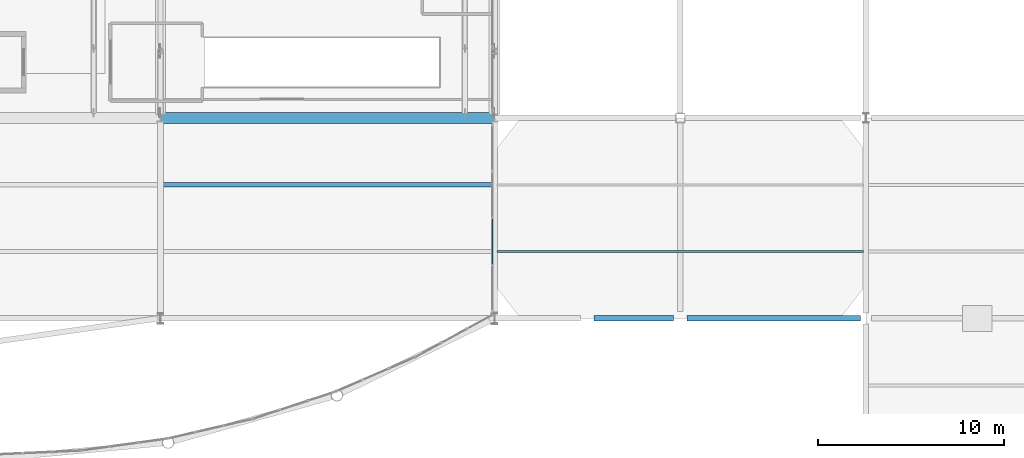
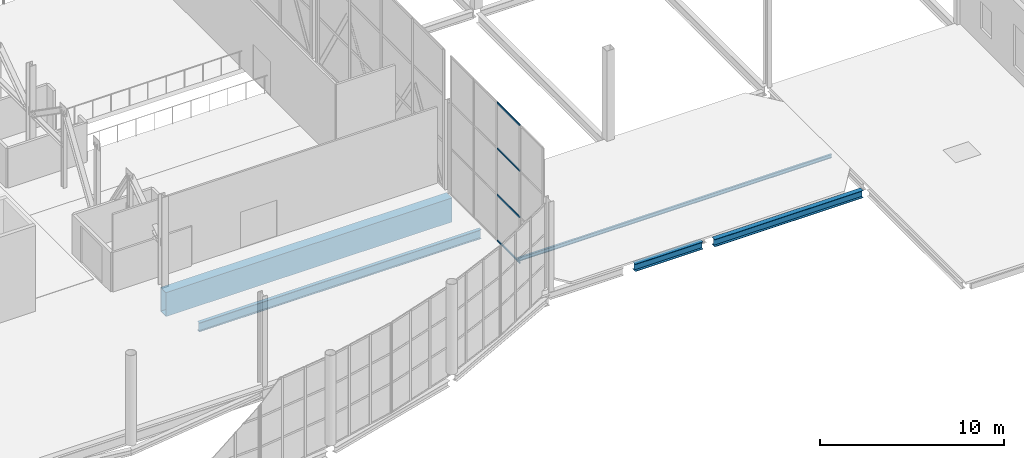
# One storey, part 51 of 191: 5 beams, 4 members, 1 element without a shape of its own.
"""IFC4 building model written with IfcOpenShell, lengths in metres."""

from ifc_helpers import new_model, si_unit, direction, frame, origin, origin_2d, place, context, subcontext, project, spatial, hollow_rectangle, i_section, extrude, material, layer, layer_set, material_profile, profile_set, type_object, element, aggregate, save


model = new_model("IFC4")

# Units and contexts
model_context = context("Model", 3, precision=1e-05, world=origin(), true_north=direction((0.0, 1.0)))
body_context = subcontext(model_context, "Body", "Model", "MODEL_VIEW")
ifc_project = project(units=[si_unit("LENGTHUNIT", "METRE"), si_unit("AREAUNIT", "SQUARE_METRE"), si_unit("VOLUMEUNIT", "CUBIC_METRE"), si_unit("PLANEANGLEUNIT", "RADIAN"), si_unit("MASSUNIT", "GRAM", prefix="KILO")], contexts=[model_context])

# Site, building, storey
site_placement = place(None, origin())
site = spatial("IfcSite", under=ifc_project, at=site_placement, CompositionType="ELEMENT")
building_placement = place(site_placement, origin())
building = spatial("IfcBuilding", under=site, at=building_placement, Name="Tamarisk Ironworks Central Station", CompositionType="ELEMENT")
storey_placement = place(building_placement, frame((0.0, 0.0, 6.60009765625)))
storey = spatial("IfcBuildingStorey", under=building, at=storey_placement, Name="L01", CompositionType="ELEMENT", Elevation=6.60009765625)

# Beams
ifc_material_1 = material(Name="Structural steel S355J2", Category="steel")
ifc_material_profile_1 = material_profile(ifc_material_1, i_section(OverallWidth=0.219970703125, OverallDepth=0.60009765625, WebThickness=0.011962890625, FlangeThickness=0.01904296875, at=origin_2d()), Name="IPE 600")
ifc_profile_set_1 = profile_set([ifc_material_profile_1], Name="Structural steel S355J2")
beam_type_1 = type_object("IfcBeamType", Name="BM-B01", PredefinedType="BEAM", material=ifc_profile_set_1)
beam_1_placement = place(storey_placement, frame((90.135009765625, 18.0, -0.60009765625), z_axis=(1.0, 0.0, 0.0), x_axis=(0.0, 1.0, 0.0)))
element("IfcBeam", 1, at=beam_1_placement, inside=storey, type_object=beam_type_1, Name="L01 secondary composite beam 0032", PredefinedType="BEAM", context=body_context, shape_type="SweptSolid", body=[
    extrude(i_section(OverallWidth=0.219970703125, OverallDepth=0.60009765625, WebThickness=0.011962890625, FlangeThickness=0.01904296875, at=origin_2d()), origin(), (0.0, 0.0, 1.0), 17.72998046875),
])
ifc_material_profile_2 = material_profile(ifc_material_1, i_section(OverallWidth=0.300048828125, OverallDepth=0.489990234375, WebThickness=0.011962890625, FlangeThickness=0.02294921875, at=origin_2d()), Name="HEA 500")
ifc_profile_set_2 = profile_set([ifc_material_profile_2], Name="Structural steel S355J2")
beam_type_2 = type_object("IfcBeamType", Name="BM-G05", PredefinedType="BEAM", material=ifc_profile_set_2)
beam_2_placement = place(storey_placement, frame((113.363037109375, 10.800048828125, -0.385009765625), z_axis=(1.0, 0.0, 0.0), x_axis=(0.0, 1.0, 0.0)))
element("IfcBeam", 2, at=beam_2_placement, inside=storey, type_object=beam_type_2, Name="L01 primary girder X-0021", PredefinedType="BEAM", context=body_context, shape_type="SweptSolid", body=[
    extrude(i_section(OverallWidth=0.300048828125, OverallDepth=0.489990234375, WebThickness=0.011962890625, FlangeThickness=0.02294921875, at=origin_2d()), origin(), (0.0, 0.0, 1.0), 4.27392578125),
])
beam_3_placement = place(storey_placement, frame((118.363037109375, 10.800048828125, -0.4951171875), z_axis=(1.0, 0.0, 0.0), x_axis=(0.0, 1.0, 0.0)))
element("IfcBeam", 3, at=beam_3_placement, inside=storey, type_object=beam_type_2, Name="L01 primary girder X-0022", PredefinedType="BEAM", context=body_context, shape_type="SweptSolid", body=[
    extrude(i_section(OverallWidth=0.300048828125, OverallDepth=0.489990234375, WebThickness=0.011962890625, FlangeThickness=0.02294921875, at=origin_2d()), origin(), (0.0, 0.0, 1.0), 9.348876953125),
])
ifc_material_profile_3 = material_profile(ifc_material_1, i_section(OverallWidth=0.1201171875, OverallDepth=0.239990234375, WebThickness=0.006103515625, FlangeThickness=0.009765625, at=origin_2d()), Name="IPE 240")
ifc_profile_set_3 = profile_set([ifc_material_profile_3], Name="Structural steel S355J2")
beam_type_3 = type_object("IfcBeamType", Name="BM-J01", PredefinedType="JOIST", material=ifc_profile_set_3)
beam_4_placement = place(storey_placement, frame((108.135009765625, 14.39990234375, -0.260009765625), z_axis=(1.0, 0.0, 0.0), x_axis=(0.0, 1.0, 0.0)))
element("IfcBeam", 4, at=beam_4_placement, inside=storey, type_object=beam_type_3, Name="Forecourt canopy framing beam 011", PredefinedType="JOIST", context=body_context, shape_type="SweptSolid", body=[
    extrude(i_section(OverallWidth=0.1201171875, OverallDepth=0.239990234375, WebThickness=0.006103515625, FlangeThickness=0.009765625, at=origin_2d()), origin(), (0.0, 0.0, 1.0), 19.72998046875),
])
ifc_material_profile_4 = material_profile(ifc_material_1, hollow_rectangle(XDim=0.60009765625, YDim=1.60009765625, WallThickness=0.031982421875, at=origin_2d()), Name="BOX 600x1600x32")
ifc_profile_set_4 = profile_set([ifc_material_profile_4], Name="Structural steel S355J2")
beam_type_4 = type_object("IfcBeamType", Name="BM-TG01", PredefinedType="USERDEFINED", material=ifc_profile_set_4)
beam_5_placement = place(storey_placement, frame((90.00390625, 21.60009765625, -1.10009765625), z_axis=(1.0, 0.0, 0.0), x_axis=(0.0, 1.0, 0.0)))
element("IfcBeam", 5, at=beam_5_placement, inside=storey, type_object=beam_type_4, Name="L01 primary girder X-0035", ObjectType="TRANSFER GIRDER", PredefinedType="USERDEFINED", context=body_context, shape_type="SweptSolid", body=[
    extrude(hollow_rectangle(XDim=0.60009765625, YDim=1.60009765625, WallThickness=0.031982421875, at=origin_2d()), origin(), (0.0, 0.0, 1.0), 17.9921875),
])

# Curtain wall, members
ifc_material_2 = material(Name="Anodized aluminium alloy 6063-T6", Category="aluminium")
ifc_layer = layer(ifc_material_2, 0.179931640625)
ifc_layer_set = layer_set([ifc_layer], Name="Anodized aluminium alloy 6063-T6")
curtain_wall_type = type_object("IfcCurtainWallType", Name="CW-05", PredefinedType="USERDEFINED", material=ifc_layer_set)
curtain_wall_placement = place(storey_placement, origin())
curtain_wall = element("IfcCurtainWall", 6, at=curtain_wall_placement, inside=storey, type_object=curtain_wall_type, Name="Concourse E track-overlook curtain wall 01", ObjectType="GLAZED CURTAIN WALL", PredefinedType="USERDEFINED")
ifc_material_profile_5 = material_profile(ifc_material_2, hollow_rectangle(XDim=0.06005859375, YDim=0.114990234375, WallThickness=0.00341796875, at=origin_2d()), Name="ALUM 115x60")
ifc_profile_set_5 = profile_set([ifc_material_profile_5], Name="Anodized aluminium alloy 6063-T6")
member_type = type_object("IfcMemberType", Name="CWT-03", PredefinedType="USERDEFINED", material=ifc_profile_set_5)
member_1_placement = place(storey_placement, frame((107.8798828125, 13.700927734375, 0.02978515625), z_axis=(0.0, 1.0, 0.0), x_axis=(-1.0, 0.0, 0.0)))
member_1 = element("IfcMember", 7, at=member_1_placement, type_object=member_type, Name="CW05 transom 2.1", ObjectType="TRANSOM", PredefinedType="USERDEFINED", context=body_context, shape_type="SweptSolid", body=[
    extrude(hollow_rectangle(XDim=0.06005859375, YDim=0.114990234375, WallThickness=0.00341796875, at=origin_2d()), origin(), (0.0, 0.0, 1.0), 2.47314453125),
])
member_2_placement = place(storey_placement, frame((107.8798828125, 13.700927734375, 3.0732421875), z_axis=(0.0, 1.0, 0.0), x_axis=(-1.0, 0.0, 0.0)))
member_2 = element("IfcMember", 8, at=member_2_placement, type_object=member_type, Name="CW05 transom 2.2", ObjectType="TRANSOM", PredefinedType="USERDEFINED", context=body_context, shape_type="SweptSolid", body=[
    extrude(hollow_rectangle(XDim=0.06005859375, YDim=0.114990234375, WallThickness=0.00341796875, at=origin_2d()), origin(), (0.0, 0.0, 1.0), 2.47314453125),
])
member_3_placement = place(storey_placement, frame((107.8798828125, 13.700927734375, 6.146484375), z_axis=(0.0, 1.0, 0.0), x_axis=(-1.0, 0.0, 0.0)))
member_3 = element("IfcMember", 9, at=member_3_placement, type_object=member_type, Name="CW05 transom 2.3", ObjectType="TRANSOM", PredefinedType="USERDEFINED", context=body_context, shape_type="SweptSolid", body=[
    extrude(hollow_rectangle(XDim=0.06005859375, YDim=0.114990234375, WallThickness=0.00341796875, at=origin_2d()), origin(), (0.0, 0.0, 1.0), 2.47314453125),
])
member_4_placement = place(storey_placement, frame((107.8798828125, 13.700927734375, 9.18994140625), z_axis=(0.0, 1.0, 0.0), x_axis=(-1.0, 0.0, 0.0)))
member_4 = element("IfcMember", 10, at=member_4_placement, type_object=member_type, Name="CW05 transom 2.4", ObjectType="TRANSOM", PredefinedType="USERDEFINED", context=body_context, shape_type="SweptSolid", body=[
    extrude(hollow_rectangle(XDim=0.06005859375, YDim=0.114990234375, WallThickness=0.00341796875, at=origin_2d()), origin(), (0.0, 0.0, 1.0), 2.47314453125),
])
aggregate(curtain_wall, [member_1, member_2, member_3, member_4])

save(model, "model.ifc")
